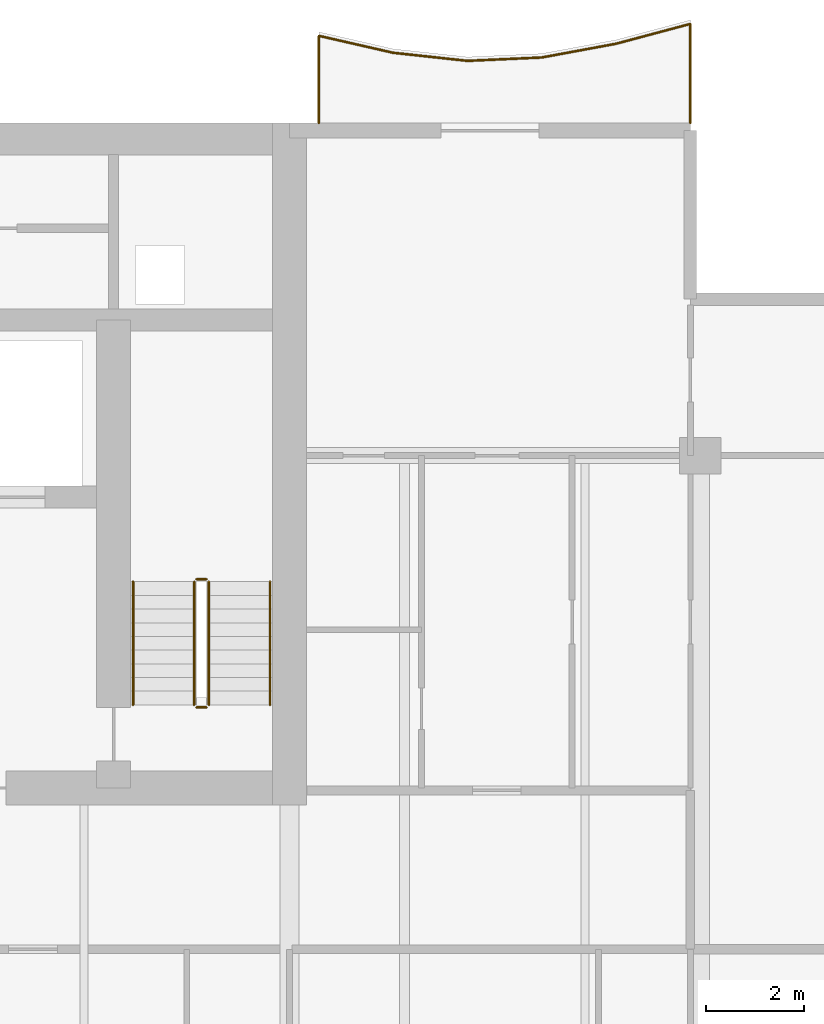
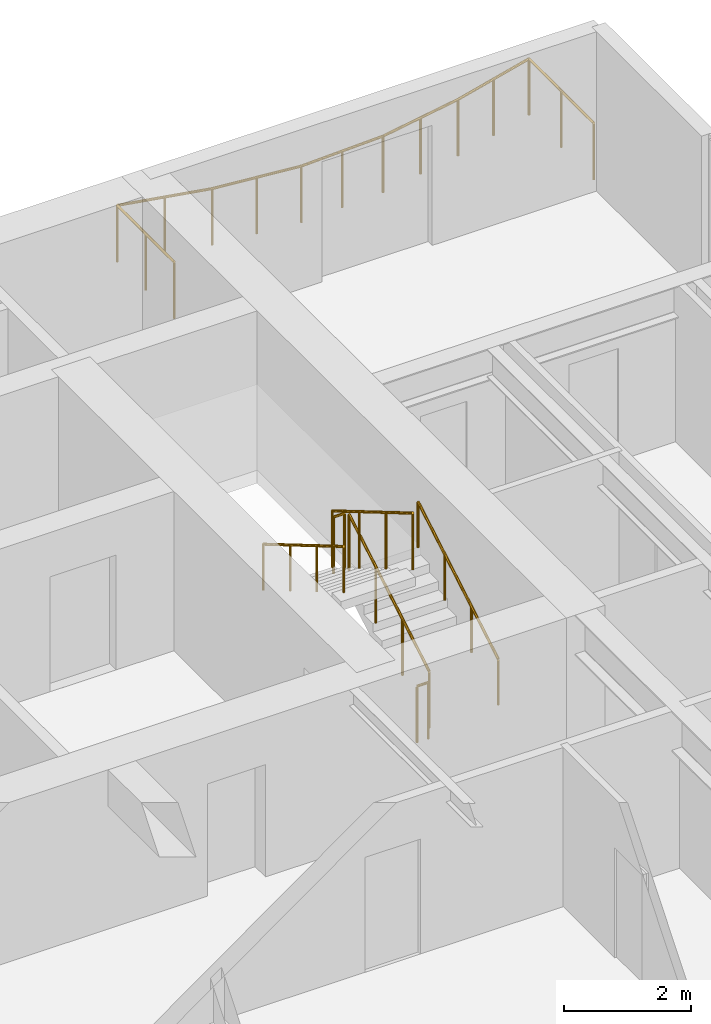
# One storey, part 18 of 19: 7 railings.
"""IFC4 building model written with IfcOpenShell, lengths in metres."""

from ifc_helpers import new_model, si_unit, direction, frame, origin, origin_2d, place, context, subcontext, project, spatial, circle, extrude, material, type_object, element, save


model = new_model("IFC4")

# Units and contexts
model_context = context("Model", 3, precision=1e-05, world=origin(), true_north=direction((0.0, 1.0)))
body_context = subcontext(model_context, "Body", "Model", "MODEL_VIEW")
ifc_project = project(units=[si_unit("LENGTHUNIT", "METRE"), si_unit("AREAUNIT", "SQUARE_METRE"), si_unit("VOLUMEUNIT", "CUBIC_METRE"), si_unit("PLANEANGLEUNIT", "RADIAN"), si_unit("MASSUNIT", "GRAM", prefix="KILO")], contexts=[model_context])

# Site, building, storey
site_placement = place(None, origin())
site = spatial("IfcSite", under=ifc_project, at=site_placement, CompositionType="ELEMENT")
building_placement = place(site_placement, origin())
building = spatial("IfcBuilding", under=site, at=building_placement, Name="Caelmar Bay Residences", CompositionType="ELEMENT")
storey_placement = place(building_placement, frame((0.0, 0.0, 167.10009765625)))
storey = spatial("IfcBuildingStorey", under=building, at=storey_placement, Name="L46", CompositionType="ELEMENT", Elevation=167.10009765625)

# Railings
ifc_material_1 = material(Name="Anodised bronze handrail with laminated hurricane glass infill", Category="glass")
railing_type_1 = type_object("IfcRailingType", Name="RL-BAL-1100", PredefinedType="BALUSTRADE", material=ifc_material_1)
railing_1_placement = place(storey_placement, frame((67.699951171875, 50.60009765625, 0.0)))
element("IfcRailing", 1, at=railing_1_placement, inside=storey, type_object=railing_type_1, Name="L46 north_east Balcony Balustrade", PredefinedType="BALUSTRADE", context=body_context, shape_type="SweptSolid", body=[
    extrude(circle(Radius=0.02392578125, at=origin_2d()), frame((0.0, 0.0, 1.076171875), z_axis=(0.0, 1.0, 0.0), x_axis=(-1.0, 0.0, 0.0)), (0.0, 0.0, 1.0), 2.031005859375),
    extrude(circle(Radius=0.02392578125, at=origin_2d()), frame((0.0, 2.031005859375, 1.076171875), z_axis=(-0.966206600501, -0.25776889872, 0.0), x_axis=(0.25776889872, -0.966206600501, 0.0)), (0.0, 0.0, 1.0), 1.5732421875),
    extrude(circle(Radius=0.02392578125, at=origin_2d()), frame((-1.52001953125, 1.62548828125, 1.076171875), z_axis=(-0.983309224326, -0.181942214331, 0.0), x_axis=(0.181942214331, -0.983309224326, 0.0)), (0.0, 0.0, 1.0), 1.5458984375),
    extrude(circle(Radius=0.02392578125, at=origin_2d()), frame((-3.0400390625, 1.34423828125, 1.076171875), z_axis=(-0.998975805625, -0.045247538899, 0.0), x_axis=(0.045247538899, -0.998975805625, 0.0)), (0.0, 0.0, 1.0), 1.521484375),
    extrude(circle(Radius=0.02392578125, at=origin_2d()), frame((-4.56005859375, 1.275390625, 1.076171875), z_axis=(-0.994138121061, 0.108117511319, 0.0), x_axis=(-0.108117511319, -0.994138121061, 0.0)), (0.0, 0.0, 1.0), 1.52880859375),
    extrude(circle(Radius=0.02392578125, at=origin_2d()), frame((-6.079833984375, 1.440673828125, 1.076171875), z_axis=(-0.974861421848, 0.222812046786, 0.0), x_axis=(-0.222812046786, -0.974861421848, 0.0)), (0.0, 0.0, 1.0), 1.559326171875),
    extrude(circle(Radius=0.02392578125, at=origin_2d()), frame((-7.599853515625, 1.7880859375, 1.076171875), z_axis=(0.0, -1.0, 0.0), x_axis=(1.0, 0.0, 0.0)), (0.0, 0.0, 1.0), 1.7880859375),
    extrude(circle(Radius=0.02099609375, at=origin_2d()), origin(), (0.0, 0.0, 1.0), 1.052001953125),
    extrude(circle(Radius=0.02099609375, at=origin_2d()), frame((0.0, 1.015625, 0.0)), (0.0, 0.0, 1.0), 1.052001953125),
    extrude(circle(Radius=0.02099609375, at=origin_2d()), frame((0.0, 2.031005859375, 0.0)), (0.0, 0.0, 1.0), 1.052001953125),
    extrude(circle(Radius=0.02099609375, at=origin_2d()), frame((-0.760009765625, 1.828125, 0.0)), (0.0, 0.0, 1.0), 1.052001953125),
    extrude(circle(Radius=0.02099609375, at=origin_2d()), frame((-1.52001953125, 1.62548828125, 0.0)), (0.0, 0.0, 1.0), 1.052001953125),
    extrude(circle(Radius=0.02099609375, at=origin_2d()), frame((-2.280029296875, 1.48486328125, 0.0)), (0.0, 0.0, 1.0), 1.052001953125),
    extrude(circle(Radius=0.02099609375, at=origin_2d()), frame((-3.0400390625, 1.34423828125, 0.0)), (0.0, 0.0, 1.0), 1.052001953125),
    extrude(circle(Radius=0.02099609375, at=origin_2d()), frame((-3.800048828125, 1.309814453125, 0.0)), (0.0, 0.0, 1.0), 1.052001953125),
    extrude(circle(Radius=0.02099609375, at=origin_2d()), frame((-4.56005859375, 1.275390625, 0.0)), (0.0, 0.0, 1.0), 1.052001953125),
    extrude(circle(Radius=0.02099609375, at=origin_2d()), frame((-5.31982421875, 1.35791015625, 0.0)), (0.0, 0.0, 1.0), 1.052001953125),
    extrude(circle(Radius=0.02099609375, at=origin_2d()), frame((-6.079833984375, 1.440673828125, 0.0)), (0.0, 0.0, 1.0), 1.052001953125),
    extrude(circle(Radius=0.02099609375, at=origin_2d()), frame((-6.83984375, 1.6142578125, 0.0)), (0.0, 0.0, 1.0), 1.052001953125),
    extrude(circle(Radius=0.02099609375, at=origin_2d()), frame((-7.599853515625, 1.7880859375, 0.0)), (0.0, 0.0, 1.0), 1.052001953125),
    extrude(circle(Radius=0.02099609375, at=origin_2d()), frame((-7.599853515625, 0.89404296875, 0.0)), (0.0, 0.0, 1.0), 1.052001953125),
    extrude(circle(Radius=0.02099609375, at=origin_2d()), frame((-7.599853515625, 0.0, 0.0)), (0.0, 0.0, 1.0), 1.052001953125),
])
ifc_material_2 = material(Name="Painted galvanized steel stair guard 1100 mm", Category="steel")
railing_type_2 = type_object("IfcRailingType", Name="RL-GRD-1100", PredefinedType="GUARDRAIL", material=ifc_material_2)
railing_2_placement = place(storey_placement, frame((57.85009765625, 38.699951171875, 0.164794921875)))
element("IfcRailing", 2, at=railing_2_placement, inside=storey, type_object=railing_type_2, Name="L46 ST2 stair guard 1", PredefinedType="GUARDRAIL", context=body_context, shape_type="SweptSolid", body=[
    extrude(circle(Radius=0.02392578125, at=origin_2d()), frame((0.0, 0.0, 1.076171875), z_axis=(0.0, 0.86152411907, 0.507716645641), x_axis=(-1.0, 0.0, 0.0)), (0.0, 0.0, 1.0), 2.925048828125),
    extrude(circle(Radius=0.02099609375, at=origin_2d()), origin(), (0.0, 0.0, 1.0), 1.052001953125),
    extrude(circle(Radius=0.02099609375, at=origin_2d()), frame((0.0, 0.840087890625, 0.4951171875)), (0.0, 0.0, 1.0), 1.052001953125),
    extrude(circle(Radius=0.02099609375, at=origin_2d()), frame((0.0, 1.679931640625, 0.989990234375)), (0.0, 0.0, 1.0), 1.052001953125),
    extrude(circle(Radius=0.02099609375, at=origin_2d()), frame((0.0, 2.52001953125, 1.485107421875)), (0.0, 0.0, 1.0), 1.052001953125),
])
railing_3_placement = place(storey_placement, frame((57.800048828125, 41.27001953125, 1.64990234375)))
element("IfcRailing", 3, at=railing_3_placement, inside=storey, type_object=railing_type_2, Name="L46 ST2 stair guard 2", PredefinedType="GUARDRAIL", context=body_context, shape_type="SweptSolid", body=[
    extrude(circle(Radius=0.02392578125, at=origin_2d()), frame((0.0, 0.0, 1.076171875), z_axis=(-1.0, 0.0, 0.0), x_axis=(0.0, -1.0, 0.0)), (0.0, 0.0, 1.0), 0.199951171875),
    extrude(circle(Radius=0.02099609375, at=origin_2d()), origin(), (0.0, 0.0, 1.0), 1.052001953125),
    extrude(circle(Radius=0.02099609375, at=origin_2d()), frame((-0.199951171875, 0.0, 0.0)), (0.0, 0.0, 1.0), 1.052001953125),
])
railing_4_placement = place(storey_placement, frame((57.550048828125, 41.219970703125, 1.81494140625)))
element("IfcRailing", 4, at=railing_4_placement, inside=storey, type_object=railing_type_2, Name="L46 ST2 stair guard 3", PredefinedType="GUARDRAIL", context=body_context, shape_type="SweptSolid", body=[
    extrude(circle(Radius=0.02392578125, at=origin_2d()), frame((0.0, 0.0, 1.076171875), z_axis=(0.0, -0.861560626758, 0.507654692109), x_axis=(1.0, 0.0, 0.0)), (0.0, 0.0, 1.0), 2.925048828125),
    extrude(circle(Radius=0.02099609375, at=origin_2d()), origin(), (0.0, 0.0, 1.0), 1.052001953125),
    extrude(circle(Radius=0.02099609375, at=origin_2d()), frame((0.0, -0.840087890625, 0.494873046875)), (0.0, 0.0, 1.0), 1.052001953125),
    extrude(circle(Radius=0.02099609375, at=origin_2d()), frame((0.0, -1.679931640625, 0.989990234375)), (0.0, 0.0, 1.0), 1.052001953125),
    extrude(circle(Radius=0.02099609375, at=origin_2d()), frame((0.0, -2.52001953125, 1.48486328125)), (0.0, 0.0, 1.0), 1.052001953125),
])
railing_5_placement = place(storey_placement, frame((57.800048828125, 38.64990234375, 0.0)))
element("IfcRailing", 5, at=railing_5_placement, inside=storey, type_object=railing_type_2, Name="L46 ST2 stair guard 4", PredefinedType="GUARDRAIL", context=body_context, shape_type="SweptSolid", body=[
    extrude(circle(Radius=0.02392578125, at=origin_2d()), frame((0.0, 0.0, 1.076171875), z_axis=(-1.0, 0.0, 0.0), x_axis=(0.0, -1.0, 0.0)), (0.0, 0.0, 1.0), 0.199951171875),
    extrude(circle(Radius=0.02099609375, at=origin_2d()), origin(), (0.0, 0.0, 1.0), 1.052001953125),
    extrude(circle(Radius=0.02099609375, at=origin_2d()), frame((-0.199951171875, 0.0, 0.0)), (0.0, 0.0, 1.0), 1.052001953125),
])
ifc_material_3 = material(Name="Brushed bronze stainless-steel tubular handrail 900 mm", Category="steel")
railing_type_3 = type_object("IfcRailingType", Name="RL-HND-900", PredefinedType="HANDRAIL", material=ifc_material_3)
railing_6_placement = place(storey_placement, frame((59.10009765625, 38.699951171875, 0.164794921875)))
element("IfcRailing", 6, at=railing_6_placement, inside=storey, type_object=railing_type_3, Name="L46 ST2 stair handrail 1", PredefinedType="HANDRAIL", context=body_context, shape_type="SweptSolid", body=[
    extrude(circle(Radius=0.02392578125, at=origin_2d()), frame((0.0, 0.0, 0.8759765625), z_axis=(0.0, 0.86152411907, 0.507716645641), x_axis=(-1.0, 0.0, 0.0)), (0.0, 0.0, 1.0), 2.925048828125),
    extrude(circle(Radius=0.02099609375, at=origin_2d()), origin(), (0.0, 0.0, 1.0), 0.851806640625),
    extrude(circle(Radius=0.02099609375, at=origin_2d()), frame((0.0, 0.840087890625, 0.4951171875)), (0.0, 0.0, 1.0), 0.851806640625),
    extrude(circle(Radius=0.02099609375, at=origin_2d()), frame((0.0, 1.679931640625, 0.989990234375)), (0.0, 0.0, 1.0), 0.851806640625),
    extrude(circle(Radius=0.02099609375, at=origin_2d()), frame((0.0, 2.52001953125, 1.485107421875)), (0.0, 0.0, 1.0), 0.851806640625),
])
railing_7_placement = place(storey_placement, frame((56.300048828125, 41.219970703125, 1.81494140625)))
element("IfcRailing", 7, at=railing_7_placement, inside=storey, type_object=railing_type_3, Name="L46 ST2 stair handrail 2", PredefinedType="HANDRAIL", context=body_context, shape_type="SweptSolid", body=[
    extrude(circle(Radius=0.02392578125, at=origin_2d()), frame((0.0, 0.0, 0.8759765625), z_axis=(0.0, -0.861560626758, 0.507654692109), x_axis=(1.0, 0.0, 0.0)), (0.0, 0.0, 1.0), 2.925048828125),
    extrude(circle(Radius=0.02099609375, at=origin_2d()), origin(), (0.0, 0.0, 1.0), 0.851806640625),
    extrude(circle(Radius=0.02099609375, at=origin_2d()), frame((0.0, -0.840087890625, 0.494873046875)), (0.0, 0.0, 1.0), 0.851806640625),
    extrude(circle(Radius=0.02099609375, at=origin_2d()), frame((0.0, -1.679931640625, 0.989990234375)), (0.0, 0.0, 1.0), 0.851806640625),
    extrude(circle(Radius=0.02099609375, at=origin_2d()), frame((0.0, -2.52001953125, 1.48486328125)), (0.0, 0.0, 1.0), 0.851806640625),
])

save(model, "model.ifc")
